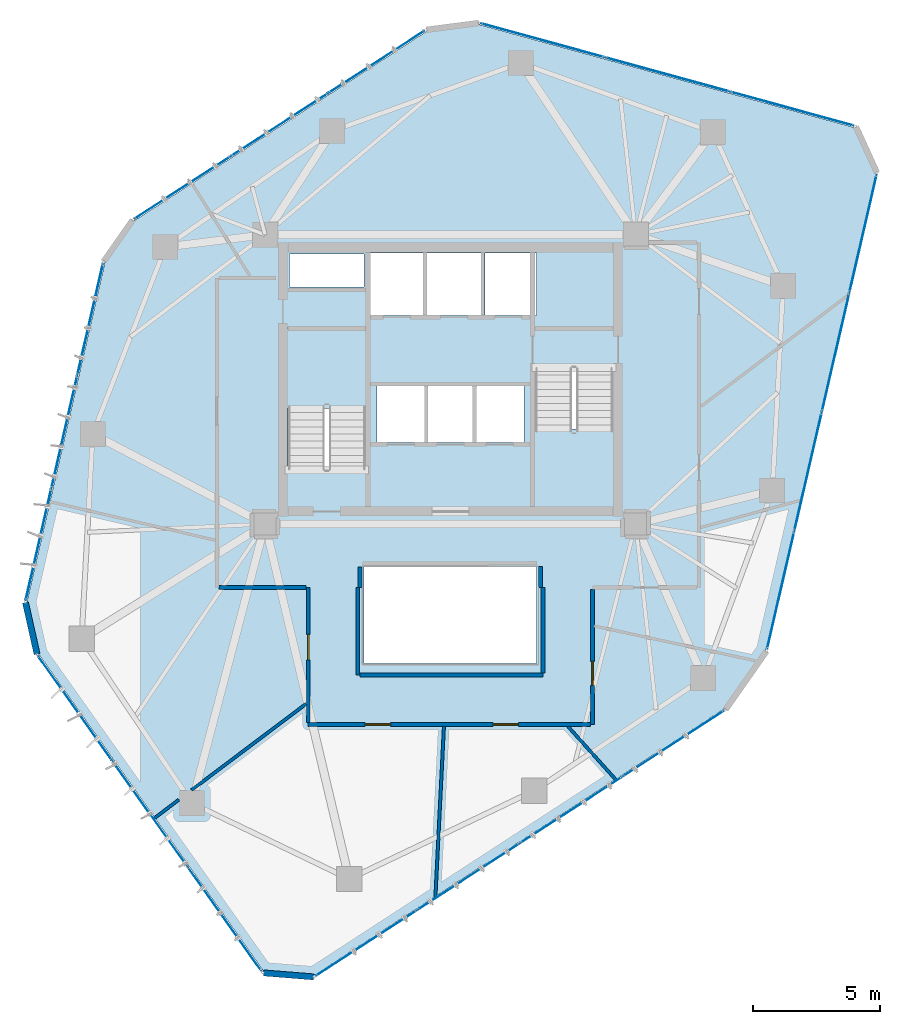
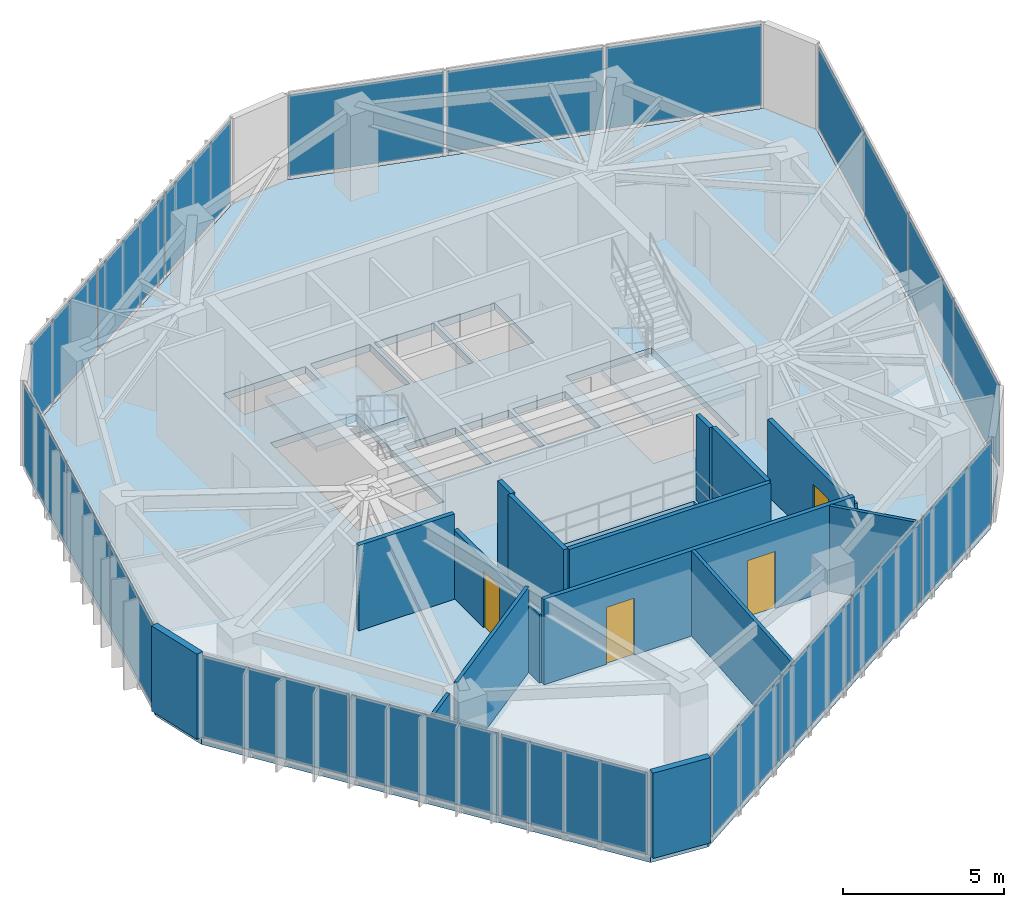
# One storey, part 14 of 18: 20 plates, 15 walls, 4 doors, 3 slabs, 4 openings, 8 elements without a shape of their own.
"""IFC4 building model written with IfcOpenShell, lengths in metres."""

import ifcopenshell
import ifcopenshell.guid

model = None  # the IFC model being written
_history = None  # IfcOwnerHistory: only IFC2X3 demands one
_inside = {}  # id of a spatial element -> (the spatial element, [elements in it])
_under = {}  # id of a project, library or spatial element -> (it, [spatial elements below it])
_declared = {}  # id of a project -> (the project, [libraries it declares])
_typed = {}  # id of a type object -> (the type object, [elements of that type])
_made_of = {}  # id of a material, layer set ... -> (it, [elements and type objects made of it])


def new_model(schema):
    """Start an empty IFC model of exactly this schema.

    Asked for "IFC4X3", IfcOpenShell would pick the latest addendum, in which some entities
    have other attributes; the version numbers below select the first issue.
    IFC2X3 requires an IfcOwnerHistory on every rooted entity: one is made here for all.
    """
    global model, _history
    if schema == "IFC4X3":
        model = ifcopenshell.file(schema_version=(4, 3, 0, 0))
    else:
        model = ifcopenshell.file(schema=schema)
    _inside.clear()
    _under.clear()
    _declared.clear()
    _typed.clear()
    _made_of.clear()
    _history = None
    if model.schema == "IFC2X3":
        org = make("IfcOrganization", Name="unknown")
        user = make(
            "IfcPersonAndOrganization",
            ThePerson=make("IfcPerson", FamilyName="unknown"),
            TheOrganization=org,
        )
        app = make(
            "IfcApplication",
            ApplicationDeveloper=org,
            Version="unknown",
            ApplicationFullName="unknown",
            ApplicationIdentifier="unknown",
        )
        _history = make(
            "IfcOwnerHistory",
            OwningUser=user,
            OwningApplication=app,
            ChangeAction="ADDED",
            CreationDate=0,
        )
    return model


def make(cls, **values):
    """One entity of the class cls with the attributes given. An attribute that is None is left unset."""
    return model.create_entity(
        cls, **{name: value for name, value in values.items() if value is not None}
    )


def rooted(cls, **values):
    """An entity with a GlobalId (a new one), such as an element, a storey or a relation."""
    return make(cls, GlobalId=ifcopenshell.guid.new(), OwnerHistory=_history, **values)


def si_unit(unit_type, name, prefix=None):
    """IfcSIUnit, for example si_unit("LENGTHUNIT", "METRE", prefix="MILLI")."""
    return make("IfcSIUnit", UnitType=unit_type, Prefix=prefix, Name=name)


def assignment(units):
    """IfcUnitAssignment: the units of a project."""
    return None if units is None else make("IfcUnitAssignment", Units=units)


def point(xyz):
    """IfcCartesianPoint."""
    return None if xyz is None else make("IfcCartesianPoint", Coordinates=xyz)


def direction(xyz):
    """IfcDirection."""
    return None if xyz is None else make("IfcDirection", DirectionRatios=xyz)


def frame(location, z_axis=None, x_axis=None):
    """IfcAxis2Placement3D, a coordinate frame: its origin and axes. An axis left out is left unset."""
    return make(
        "IfcAxis2Placement3D",
        Location=point(location),
        Axis=direction(z_axis),
        RefDirection=direction(x_axis),
    )


def frame_2d(location, x_axis=None):
    """IfcAxis2Placement2D, a coordinate frame in the plane: its origin and x axis."""
    return make(
        "IfcAxis2Placement2D", Location=point(location), RefDirection=direction(x_axis)
    )


def origin():
    """The frame at (0, 0, 0) with its axes left unset."""
    return frame((0.0, 0.0, 0.0))


def origin_2d():
    """The frame at (0, 0) in the plane with its x axis left unset."""
    return frame_2d((0.0, 0.0))


def place(relative_to, where):
    """IfcLocalPlacement: puts the frame where relative to a parent placement (None: the world)."""
    return make(
        "IfcLocalPlacement", PlacementRelTo=relative_to, RelativePlacement=where
    )


def context(
    kind, dimensions, precision=None, world=None, true_north=None, identifier=None
):
    """IfcGeometricRepresentationContext, for example the 3D "Model" context."""
    return make(
        "IfcGeometricRepresentationContext",
        ContextIdentifier=identifier,
        ContextType=kind,
        CoordinateSpaceDimension=dimensions,
        Precision=precision,
        WorldCoordinateSystem=world,
        TrueNorth=true_north,
    )


def subcontext(parent, identifier, kind, view, scale=None):
    """IfcGeometricRepresentationSubContext, for example "Body" below "Model"."""
    return make(
        "IfcGeometricRepresentationSubContext",
        ContextIdentifier=identifier,
        ContextType=kind,
        ParentContext=parent,
        TargetScale=scale,
        TargetView=view,
    )


def project(units=None, contexts=None):
    """IfcProject with its units and contexts."""
    return rooted(
        "IfcProject",
        Name="project",
        RepresentationContexts=contexts,
        UnitsInContext=assignment(units),
    )


def spatial(cls, under=None, at=None, **own):
    """A site, building, storey or space (cls), placed at a placement, below another one or the project."""
    s = rooted(cls, ObjectPlacement=at, **own)
    if under is not None:
        _under.setdefault(under.id(), (under, []))[1].append(s)
    return s


def polyline(points):
    """IfcPolyline through the points."""
    return make("IfcPolyline", Points=[point(p) for p in points])


def profile(cls, at=None, kind="AREA", **sizes):
    """A parametric profile (cls). Its sizes go by their IFC names, for example OverallWidth=200.0."""
    return make(cls, ProfileType=kind, Position=at, **sizes)


def rectangle(**sizes):
    """IfcRectangleProfileDef."""
    return profile("IfcRectangleProfileDef", **sizes)


def outline(outer, holes=None, kind="AREA"):
    """IfcArbitraryClosedProfileDef: a profile drawn as a closed curve; with holes, ...WithVoids."""
    if holes is None:
        return make("IfcArbitraryClosedProfileDef", ProfileType=kind, OuterCurve=outer)
    return make(
        "IfcArbitraryProfileDefWithVoids",
        ProfileType=kind,
        OuterCurve=outer,
        InnerCurves=holes,
    )


def extrude(swept, where, along, depth):
    """IfcExtrudedAreaSolid: the profile swept, set in the frame where, extruded along a direction by depth."""
    return make(
        "IfcExtrudedAreaSolid",
        SweptArea=swept,
        Position=where,
        ExtrudedDirection=direction(along),
        Depth=depth,
    )


def shape(context_of_items, identifier, shape_type, items):
    """IfcShapeRepresentation: the items that make up one representation, for example the "Body"."""
    return make(
        "IfcShapeRepresentation",
        ContextOfItems=context_of_items,
        RepresentationIdentifier=identifier,
        RepresentationType=shape_type,
        Items=items,
    )


def source(mapping_origin, context_of_items, identifier, shape_type, items):
    """IfcRepresentationMap: a shape defined once, which mapped items show again and again."""
    return make(
        "IfcRepresentationMap",
        MappingOrigin=mapping_origin,
        MappedRepresentation=shape(context_of_items, identifier, shape_type, items),
    )


def transform(
    local_origin,
    x_axis=None,
    y_axis=None,
    z_axis=None,
    scale=None,
    scale2=None,
    scale3=None,
    uniform=True,
):
    """IfcCartesianTransformationOperator3D, or its non-uniform kind. x_axis, y_axis, z_axis: its Axis1, 2, 3."""
    if uniform:
        return make(
            "IfcCartesianTransformationOperator3D",
            Axis1=direction(x_axis),
            Axis2=direction(y_axis),
            LocalOrigin=point(local_origin),
            Scale=scale,
            Axis3=direction(z_axis),
        )
    return make(
        "IfcCartesianTransformationOperator3DnonUniform",
        Axis1=direction(x_axis),
        Axis2=direction(y_axis),
        LocalOrigin=point(local_origin),
        Scale=scale,
        Axis3=direction(z_axis),
        Scale2=scale2,
        Scale3=scale3,
    )


def mapped(mapping_source, mapping_target):
    """IfcMappedItem: shows the shape of a source again, moved by a transform."""
    return make(
        "IfcMappedItem", MappingSource=mapping_source, MappingTarget=mapping_target
    )


def material(Name=None, Category=None):
    """IfcMaterial."""
    return make("IfcMaterial", Name=Name, Category=Category)


def layer(
    of_material, thickness, ventilated=None, Name=None, Category=None, Priority=None
):
    """IfcMaterialLayer: one layer of a wall or slab, of a material (None: an air gap)."""
    return make(
        "IfcMaterialLayer",
        Material=of_material,
        LayerThickness=thickness,
        IsVentilated=ventilated,
        Name=Name,
        Category=Category,
        Priority=Priority,
    )


def layer_set(layers, Name=None):
    """IfcMaterialLayerSet."""
    return make("IfcMaterialLayerSet", MaterialLayers=layers, LayerSetName=Name)


def made_of(thing, what):
    """Note that an element or type object is made of a material, layer set ...; save() writes the relation."""
    if what is not None:
        _made_of.setdefault(what.id(), (what, []))[1].append(thing)
    return thing


def type_object(cls, material=None, **own):
    """A type object (cls), such as IfcWallType, which elements share."""
    return made_of(rooted(cls, **own), material)


def type_shapes(of_type, sources):
    """Give a type object the sources (RepresentationMaps) that its elements show as mapped items."""
    of_type.RepresentationMaps = sources


def element(
    cls,
    number,
    at=None,
    inside=None,
    cuts=None,
    type_object=None,
    material=None,
    context=None,
    identifier="Body",
    shape_type=None,
    held_by="IfcProductDefinitionShape",
    body=None,
    shapes=None,
    **own,
):
    """One element of the class cls, such as IfcWall. Its Tag is "e" and its number.

    at: its placement. inside: the storey or other place that contains it. cuts: it is an
    opening in that element (IfcRelVoidsElement). A single representation is given by context,
    identifier, shape_type and body (its items); several are given by shapes. held_by: the class
    of the entity that holds the representations. save() writes the other relations.
    """
    e = rooted(cls, Tag="e%d" % number, ObjectPlacement=at, **own)
    if body is not None:
        shapes = [shape(context, identifier, shape_type, body)]
    if shapes is not None:
        e.Representation = make(held_by, Representations=shapes)
    if inside is not None:
        _inside.setdefault(inside.id(), (inside, []))[1].append(e)
    if cuts is not None:
        rooted(
            "IfcRelVoidsElement", RelatingBuildingElement=cuts, RelatedOpeningElement=e
        )
    if type_object is not None:
        _typed.setdefault(type_object.id(), (type_object, []))[1].append(e)
    return made_of(e, material)


def fill(opening, filler):
    """IfcRelFillsElement: the door or window that sits in an opening."""
    return rooted(
        "IfcRelFillsElement",
        RelatingOpeningElement=opening,
        RelatedBuildingElement=filler,
    )


def aggregate(whole, parts):
    """IfcRelAggregates: a whole, such as a stair, and the parts it consists of."""
    return rooted("IfcRelAggregates", RelatingObject=whole, RelatedObjects=parts)


def save(model, path):
    """Write the relations noted so far, then the file.

    IfcRelAggregates (storeys below a building ...), IfcRelContainedInSpatialStructure (elements
    in a storey), IfcRelDefinesByType, IfcRelAssociatesMaterial and IfcRelDeclares: one each for
    every whole, place, type object, material and project.
    """
    for whole, parts in _under.values():
        aggregate(whole, parts)
    for where, things in _inside.values():
        rooted(
            "IfcRelContainedInSpatialStructure",
            RelatedElements=things,
            RelatingStructure=where,
        )
    for kind, things in _typed.values():
        rooted("IfcRelDefinesByType", RelatedObjects=things, RelatingType=kind)
    for what, things in _made_of.values():
        rooted("IfcRelAssociatesMaterial", RelatedObjects=things, RelatingMaterial=what)
    for by, libraries in _declared.values():
        rooted("IfcRelDeclares", RelatingContext=by, RelatedDefinitions=libraries)
    model.write(path)


model = new_model("IFC4")

# Units and contexts
model_context = context("Model", 3, precision=1e-05, world=origin(), true_north=direction((0.0, 1.0)))
body_context = subcontext(model_context, "Body", "Model", "MODEL_VIEW")
ifc_project = project(units=[si_unit("LENGTHUNIT", "METRE"), si_unit("AREAUNIT", "SQUARE_METRE"), si_unit("VOLUMEUNIT", "CUBIC_METRE"), si_unit("PLANEANGLEUNIT", "RADIAN"), si_unit("MASSUNIT", "GRAM", prefix="KILO")], contexts=[model_context])

# Site, building, storey
site_placement = place(None, origin())
site = spatial("IfcSite", under=ifc_project, at=site_placement, CompositionType="ELEMENT")
building_placement = place(site_placement, origin())
building = spatial("IfcBuilding", under=site, at=building_placement, Name="Talar Marvaseh", CompositionType="ELEMENT")
storey_placement = place(building_placement, frame((0.0, 0.0, 188.0)))
storey = spatial("IfcBuildingStorey", under=building, at=storey_placement, Name="L49", CompositionType="ELEMENT", Elevation=188.0)

# Stair, slab
ifc_material_1 = material(Name="Concrete C40/50", Category="concrete")
stair_type = type_object("IfcStairType", Name="Reinforced Concrete High-Rise Exit Stair Type C", PredefinedType="HALF_TURN_STAIR", material=ifc_material_1)
stair_1_placement = place(storey_placement, origin())
stair_1 = element("IfcStair", 1, at=stair_1_placement, inside=storey, type_object=stair_type, Name="L49 Tower West Core Exit Stair", PredefinedType="HALF_TURN_STAIR")
ifc_layer_1 = layer(ifc_material_1, 0.199951171875)
ifc_layer_set_1 = layer_set([ifc_layer_1], Name="Concrete C40/50")
slab_type_1 = type_object("IfcSlabType", Name="Reinforced Concrete Stair Half-Landing Slab 200", PredefinedType="LANDING", material=ifc_layer_set_1)
slab_1_placement = place(storey_placement, frame((0.0, 0.0, 1.550048828125)))
slab_1 = element("IfcSlab", 2, at=slab_1_placement, type_object=slab_type_1, Name="ST-1 landing 1", PredefinedType="LANDING", context=body_context, shape_type="SweptSolid", body=[
    extrude(outline(polyline([(22.780029296875, 30.050048828125), (22.780029296875, 33.219970703125), (19.47998046875, 33.219970703125), (19.47998046875, 30.050048828125), (22.780029296875, 30.050048828125)])), origin(), (0.0, 0.0, 1.0), 0.199951171875),
])
aggregate(stair_1, [slab_1])

stair_2_placement = place(storey_placement, origin())
stair_2 = element("IfcStair", 3, at=stair_2_placement, inside=storey, type_object=stair_type, Name="L49 Tower East Core Exit Stair", PredefinedType="HALF_TURN_STAIR")
slab_2_placement = place(storey_placement, frame((0.0, 0.0, 1.550048828125)))
slab_2 = element("IfcSlab", 4, at=slab_2_placement, type_object=slab_type_1, Name="ST-2 landing 1", PredefinedType="LANDING", context=body_context, shape_type="SweptSolid", body=[
    extrude(outline(polyline([(29.219970703125, 29.25), (29.219970703125, 26.080078125), (32.52001953125, 26.080078125), (32.52001953125, 29.25), (29.219970703125, 29.25)])), origin(), (0.0, 0.0, 1.0), 0.199951171875),
])
aggregate(stair_2, [slab_2])

# Slab
ifc_layer_2 = layer(ifc_material_1, 0.27001953125)
ifc_layer_set_2 = layer_set([ifc_layer_2], Name="Concrete C40/50")
slab_type_2 = type_object("IfcSlabType", Name="Structural Suspended Floor Slab 270", PredefinedType="FLOOR", material=ifc_layer_set_2)
slab_3_placement = place(storey_placement, frame((0.0, 0.0, -0.27001953125)))
element("IfcSlab", 5, at=slab_3_placement, inside=storey, type_object=slab_type_2, Name="L49 Tower Floor Slab", PredefinedType="FLOOR", context=body_context, shape_type="SweptSolid", body=[
    extrude(outline(polyline([(20.617431640625, 7.71728515625), (18.64599609375, 7.875), (9.772216796875, 20.38671875), (9.3154296875, 22.4248046875), (12.388671875, 35.80810546875), (13.53759765625, 37.448974609375), (25.062744140625, 44.9140625), (27.134033203125, 45.18212890625), (41.92626953125, 41.122802734375), (42.748779296875, 39.32421875), (38.406982421875, 20.531005859375), (36.7919921875, 18.224853515625), (20.617431640625, 7.71728515625)]), holes=[polyline([(22.659912109375, 27.64990234375), (22.659912109375, 33.10009765625), (19.60009765625, 33.10009765625), (19.60009765625, 27.64990234375), (22.659912109375, 27.64990234375)]), polyline([(29.340087890625, 31.64990234375), (29.340087890625, 26.199951171875), (32.39990234375, 26.199951171875), (32.39990234375, 31.64990234375), (29.340087890625, 31.64990234375)]), polyline([(22.800048828125, 33.719970703125), (24.93994140625, 33.719970703125), (24.93994140625, 36.179931640625), (22.800048828125, 36.179931640625), (22.800048828125, 33.719970703125)]), polyline([(25.080078125, 33.719970703125), (27.219970703125, 33.719970703125), (27.219970703125, 36.179931640625), (25.080078125, 36.179931640625), (25.080078125, 33.719970703125)]), polyline([(27.360107421875, 33.719970703125), (29.39990234375, 33.719970703125), (29.39990234375, 36.179931640625), (27.360107421875, 36.179931640625), (27.360107421875, 33.719970703125)]), polyline([(23.10009765625, 28.719970703125), (24.97998046875, 28.719970703125), (24.97998046875, 30.93994140625), (23.10009765625, 30.93994140625), (23.10009765625, 28.719970703125)]), polyline([(25.1201171875, 28.719970703125), (26.8798828125, 28.719970703125), (26.8798828125, 30.93994140625), (25.1201171875, 30.93994140625), (25.1201171875, 28.719970703125)]), polyline([(27.02001953125, 28.719970703125), (28.89990234375, 28.719970703125), (28.89990234375, 30.93994140625), (27.02001953125, 30.93994140625), (27.02001953125, 28.719970703125)]), polyline([(19.659912109375, 34.840087890625), (22.60009765625, 34.840087890625), (22.60009765625, 36.139892578125), (19.659912109375, 36.139892578125), (19.659912109375, 34.840087890625)]), polyline([(22.60009765625, 20.0), (29.39990234375, 20.0), (29.39990234375, 23.800048828125), (22.60009765625, 23.800048828125), (22.60009765625, 20.0)])]), origin(), (0.0, 0.0, 1.0), 0.27001953125),
])

# Curtain wall, plates
ifc_material_2 = material(Name="Architectural Aluminium", Category="aluminium")
ifc_layer_3 = layer(ifc_material_2, 0.18994140625)
ifc_layer_set_3 = layer_set([ifc_layer_3], Name="Architectural Aluminium")
curtain_wall_type = type_object("IfcCurtainWallType", Name="Unitised Solar Atelier Curtain Wall Z3", PredefinedType="NOTDEFINED", material=ifc_layer_set_3)
curtain_wall_1_placement = place(storey_placement, origin())
curtain_wall_1 = element("IfcCurtainWall", 6, at=curtain_wall_1_placement, inside=storey, type_object=curtain_wall_type, Name="L49 Unitised Solar Atelier Curtain Wall Z3", PredefinedType="NOTDEFINED")
ifc_material_3 = material(Name="Laminated Low-E Solar Glass", Category="glass")
ifc_layer_4 = layer(ifc_material_3, 0.028076171875)
ifc_layer_set_4 = layer_set([ifc_layer_4], Name="Laminated Low-E Solar Glass")
plate_type = type_object("IfcPlateType", Name="Double-Glazed Low-E Vision Curtain Panel 28", PredefinedType="CURTAIN_PANEL", material=ifc_layer_set_4)
shared_shape_1 = source(origin(), body_context, "Body", "SweptSolid", [
    extrude(rectangle(XDim=5.00048828125, YDim=0.028076171875, at=origin_2d()), origin(), (0.0, 0.0, 1.0), 3.080078125),
])
plate_1_placement = place(storey_placement, frame((17.107177734375, 9.94091796875, 0.074951171875), z_axis=(0.0, 0.0, 1.0), x_axis=(-0.57851285445, 0.815673266226, 0.0)))
plate_1 = element("IfcPlate", 7, at=plate_1_placement, type_object=plate_type, Name="CW-Z3 panel 1.1", PredefinedType="CURTAIN_PANEL", context=body_context, shape_type="MappedRepresentation", body=[
    mapped(shared_shape_1, transform((0.0, 0.0, 0.0), x_axis=(1.0, 0.0, 0.0), y_axis=(0.0, 1.0, 0.0), z_axis=(0.0, 0.0, 1.0), scale=1.0)),
])
plate_2_placement = place(storey_placement, frame((11.213134765625, 18.251220703125, 0.074951171875), z_axis=(0.0, 0.0, 1.0), x_axis=(-0.57851285445, 0.815673266226, 0.0)))
plate_2 = element("IfcPlate", 8, at=plate_2_placement, type_object=plate_type, Name="CW-Z3 panel 3.1", PredefinedType="CURTAIN_PANEL", context=body_context, shape_type="MappedRepresentation", body=[
    mapped(shared_shape_1, transform((0.0, 0.0, 0.0), x_axis=(1.0, 0.0, 0.0), y_axis=(0.0, 1.0, 0.0), z_axis=(0.0, 0.0, 1.0), scale=1.0)),
])

curtain_wall_2_placement = place(storey_placement, origin())
curtain_wall_2 = element("IfcCurtainWall", 9, at=curtain_wall_2_placement, inside=storey, type_object=curtain_wall_type, Name="L49 Unitised Solar Atelier Curtain Wall Z3", PredefinedType="NOTDEFINED")
plate_3_placement = place(storey_placement, frame((29.633544921875, 44.55859375, 0.074951171875), z_axis=(0.0, 0.0, 1.0), x_axis=(0.964344060433, -0.264651720394, 0.0)))
plate_3 = element("IfcPlate", 10, at=plate_3_placement, type_object=plate_type, Name="CW-Z3 panel 1.1", PredefinedType="CURTAIN_PANEL", context=body_context, shape_type="MappedRepresentation", body=[
    mapped(shared_shape_1, transform((0.0, 0.0, 0.0), x_axis=(1.0, 0.0, 0.0), y_axis=(0.0, 1.0, 0.0), z_axis=(0.0, 0.0, 1.0), scale=1.0)),
])
plate_4_placement = place(storey_placement, frame((39.458740234375, 41.862060546875, 0.074951171875), z_axis=(0.0, 0.0, 1.0), x_axis=(0.964344060433, -0.264651720394, 0.0)))
plate_4 = element("IfcPlate", 11, at=plate_4_placement, type_object=plate_type, Name="CW-Z3 panel 3.1", PredefinedType="CURTAIN_PANEL", context=body_context, shape_type="MappedRepresentation", body=[
    mapped(shared_shape_1, transform((0.0, 0.0, 0.0), x_axis=(1.0, 0.0, 0.0), y_axis=(0.0, 1.0, 0.0), z_axis=(0.0, 0.0, 1.0), scale=1.0)),
])

# Plate
shared_shape_2 = source(origin(), body_context, "Body", "SweptSolid", [
    extrude(rectangle(XDim=5.0380859375, YDim=0.028076171875, at=origin_2d()), origin(), (0.0, 0.0, 1.0), 3.080078125),
])
plate_5_placement = place(storey_placement, frame((14.16015625, 14.09619140625, 0.074951171875), z_axis=(0.0, 0.0, 1.0), x_axis=(-0.57851285445, 0.815673266226, 0.0)))
plate_5 = element("IfcPlate", 12, at=plate_5_placement, type_object=plate_type, Name="CW-Z3 panel 2.1", PredefinedType="CURTAIN_PANEL", context=body_context, shape_type="MappedRepresentation", body=[
    mapped(shared_shape_2, transform((0.0, 0.0, 0.0), x_axis=(1.0, 0.0, 0.0), y_axis=(0.0, 1.0, 0.0), z_axis=(0.0, 0.0, 1.0), scale=1.0)),
])

aggregate(curtain_wall_1, [plate_1, plate_5, plate_2])

plate_6_placement = place(storey_placement, frame((34.546142578125, 43.21044921875, 0.074951171875), z_axis=(0.0, 0.0, 1.0), x_axis=(0.964344060433, -0.264651720394, 0.0)))
plate_6 = element("IfcPlate", 13, at=plate_6_placement, type_object=plate_type, Name="CW-Z3 panel 2.1", PredefinedType="CURTAIN_PANEL", context=body_context, shape_type="MappedRepresentation", body=[
    mapped(shared_shape_2, transform((0.0, 0.0, 0.0), x_axis=(1.0, 0.0, 0.0), y_axis=(0.0, 1.0, 0.0), z_axis=(0.0, 0.0, 1.0), scale=1.0)),
])

aggregate(curtain_wall_2, [plate_3, plate_6, plate_4])

# Curtain wall, plates
curtain_wall_3_placement = place(storey_placement, origin())
curtain_wall_3 = element("IfcCurtainWall", 14, at=curtain_wall_3_placement, inside=storey, type_object=curtain_wall_type, Name="L49 Unitised Solar Atelier Curtain Wall Z3", PredefinedType="NOTDEFINED")
shared_shape_3 = source(origin(), body_context, "Body", "SweptSolid", [
    extrude(rectangle(XDim=4.46484375, YDim=0.028076171875, at=origin_2d()), origin(), (0.0, 0.0, 1.0), 3.080078125),
])
plate_7_placement = place(storey_placement, frame((9.7734375, 24.68701171875, 0.074951171875), z_axis=(0.0, 0.0, 1.0), x_axis=(0.223796179806, 0.97463596789, 0.0)))
plate_7 = element("IfcPlate", 15, at=plate_7_placement, type_object=plate_type, Name="CW-Z3 panel 1.1", PredefinedType="CURTAIN_PANEL", context=body_context, shape_type="MappedRepresentation", body=[
    mapped(shared_shape_3, transform((0.0, 0.0, 0.0), x_axis=(1.0, 0.0, 0.0), y_axis=(0.0, 1.0, 0.0), z_axis=(0.0, 0.0, 1.0), scale=1.0)),
])
plate_8_placement = place(storey_placement, frame((11.813720703125, 33.57275390625, 0.074951171875), z_axis=(0.0, 0.0, 1.0), x_axis=(0.223796179806, 0.97463596789, 0.0)))
plate_8 = element("IfcPlate", 16, at=plate_8_placement, type_object=plate_type, Name="CW-Z3 panel 3.1", PredefinedType="CURTAIN_PANEL", context=body_context, shape_type="MappedRepresentation", body=[
    mapped(shared_shape_3, transform((0.0, 0.0, 0.0), x_axis=(1.0, 0.0, 0.0), y_axis=(0.0, 1.0, 0.0), z_axis=(0.0, 0.0, 1.0), scale=1.0)),
])
shared_shape_4 = source(origin(), body_context, "Body", "SweptSolid", [
    extrude(rectangle(XDim=4.502197265625, YDim=0.028076171875, at=origin_2d()), origin(), (0.0, 0.0, 1.0), 3.080078125),
])
plate_9_placement = place(storey_placement, frame((10.79345703125, 29.1298828125, 0.074951171875), z_axis=(0.0, 0.0, 1.0), x_axis=(0.223796179806, 0.97463596789, 0.0)))
plate_9 = element("IfcPlate", 17, at=plate_9_placement, type_object=plate_type, Name="CW-Z3 panel 2.1", PredefinedType="CURTAIN_PANEL", context=body_context, shape_type="MappedRepresentation", body=[
    mapped(shared_shape_4, transform((0.0, 0.0, 0.0), x_axis=(1.0, 0.0, 0.0), y_axis=(0.0, 1.0, 0.0), z_axis=(0.0, 0.0, 1.0), scale=1.0)),
])
aggregate(curtain_wall_3, [plate_7, plate_9, plate_8])

# Curtain wall, plate
curtain_wall_4_placement = place(storey_placement, origin())
curtain_wall_4 = element("IfcCurtainWall", 18, at=curtain_wall_4_placement, inside=storey, type_object=curtain_wall_type, Name="L49 Unitised Solar Atelier Curtain Wall Z3", PredefinedType="NOTDEFINED")
plate_10_placement = place(storey_placement, frame((19.267578125, 41.23193359375, 0.074951171875), z_axis=(0.0, 0.0, 1.0), x_axis=(0.839317045321, 0.543642251332, 0.0)))
plate_10 = element("IfcPlate", 19, at=plate_10_placement, type_object=plate_type, Name="CW-Z3 panel 2.1", PredefinedType="CURTAIN_PANEL", context=body_context, shape_type="MappedRepresentation", body=[
    mapped(shared_shape_4, transform((0.0, 0.0, 0.0), x_axis=(1.0, 0.0, 0.0), y_axis=(0.0, 1.0, 0.0), z_axis=(0.0, 0.0, 1.0), scale=1.0)),
])

# Curtain wall, plates
curtain_wall_5_placement = place(storey_placement, origin())
curtain_wall_5 = element("IfcCurtainWall", 20, at=curtain_wall_5_placement, inside=storey, type_object=curtain_wall_type, Name="L49 Unitised Solar Atelier Curtain Wall Z3", PredefinedType="NOTDEFINED")
shared_shape_5 = source(origin(), body_context, "Body", "SweptSolid", [
    extrude(rectangle(XDim=4.70947265625, YDim=0.028076171875, at=origin_2d()), origin(), (0.0, 0.0, 1.0), 3.080078125),
])
plate_11_placement = place(storey_placement, frame((42.26025390625, 36.943115234375, 0.074951171875), z_axis=(0.0, 0.0, 1.0), x_axis=(-0.225102211765, -0.974335154995, 0.0)))
plate_11 = element("IfcPlate", 21, at=plate_11_placement, type_object=plate_type, Name="CW-Z3 panel 1.1", PredefinedType="CURTAIN_PANEL", context=body_context, shape_type="MappedRepresentation", body=[
    mapped(shared_shape_5, transform((0.0, 0.0, 0.0), x_axis=(1.0, 0.0, 0.0), y_axis=(0.0, 1.0, 0.0), z_axis=(0.0, 0.0, 1.0), scale=1.0)),
])
plate_12_placement = place(storey_placement, frame((39.012451171875, 22.885009765625, 0.074951171875), z_axis=(0.0, 0.0, 1.0), x_axis=(-0.225102211765, -0.974335154995, 0.0)))
plate_12 = element("IfcPlate", 22, at=plate_12_placement, type_object=plate_type, Name="CW-Z3 panel 4.1", PredefinedType="CURTAIN_PANEL", context=body_context, shape_type="MappedRepresentation", body=[
    mapped(shared_shape_5, transform((0.0, 0.0, 0.0), x_axis=(1.0, 0.0, 0.0), y_axis=(0.0, 1.0, 0.0), z_axis=(0.0, 0.0, 1.0), scale=1.0)),
])

curtain_wall_6_placement = place(storey_placement, origin())
curtain_wall_6 = element("IfcCurtainWall", 23, at=curtain_wall_6_placement, inside=storey, type_object=curtain_wall_type, Name="L49 Unitised Solar Atelier Curtain Wall Z3", PredefinedType="NOTDEFINED")
plate_13_placement = place(storey_placement, frame((34.787353515625, 16.850830078125, 0.074951171875), z_axis=(0.0, 0.0, 1.0), x_axis=(-0.838584664332, -0.544771292146, 0.0)))
plate_13 = element("IfcPlate", 24, at=plate_13_placement, type_object=plate_type, Name="CW-Z3 panel 1.1", PredefinedType="CURTAIN_PANEL", context=body_context, shape_type="MappedRepresentation", body=[
    mapped(shared_shape_5, transform((0.0, 0.0, 0.0), x_axis=(1.0, 0.0, 0.0), y_axis=(0.0, 1.0, 0.0), z_axis=(0.0, 0.0, 1.0), scale=1.0)),
])
plate_14_placement = place(storey_placement, frame((22.687744140625, 8.99072265625, 0.074951171875), z_axis=(0.0, 0.0, 1.0), x_axis=(-0.838584664332, -0.544771292146, 0.0)))
plate_14 = element("IfcPlate", 25, at=plate_14_placement, type_object=plate_type, Name="CW-Z3 panel 4.1", PredefinedType="CURTAIN_PANEL", context=body_context, shape_type="MappedRepresentation", body=[
    mapped(shared_shape_5, transform((0.0, 0.0, 0.0), x_axis=(1.0, 0.0, 0.0), y_axis=(0.0, 1.0, 0.0), z_axis=(0.0, 0.0, 1.0), scale=1.0)),
])

# Plate
shared_shape_6 = source(origin(), body_context, "Body", "SweptSolid", [
    extrude(rectangle(XDim=4.7470703125, YDim=0.028076171875, at=origin_2d()), origin(), (0.0, 0.0, 1.0), 3.080078125),
])
plate_15_placement = place(storey_placement, frame((41.178955078125, 32.26318359375, 0.074951171875), z_axis=(0.0, 0.0, 1.0), x_axis=(-0.225102211765, -0.974335154995, 0.0)))
plate_15 = element("IfcPlate", 26, at=plate_15_placement, type_object=plate_type, Name="CW-Z3 panel 2.1", PredefinedType="CURTAIN_PANEL", context=body_context, shape_type="MappedRepresentation", body=[
    mapped(shared_shape_6, transform((0.0, 0.0, 0.0), x_axis=(1.0, 0.0, 0.0), y_axis=(0.0, 1.0, 0.0), z_axis=(0.0, 0.0, 1.0), scale=1.0)),
])

plate_16_placement = place(storey_placement, frame((40.093505859375, 27.56494140625, 0.074951171875), z_axis=(0.0, 0.0, 1.0), x_axis=(-0.225102211765, -0.974335154995, 0.0)))
plate_16 = element("IfcPlate", 27, at=plate_16_placement, type_object=plate_type, Name="CW-Z3 panel 3.1", PredefinedType="CURTAIN_PANEL", context=body_context, shape_type="MappedRepresentation", body=[
    mapped(shared_shape_6, transform((0.0, 0.0, 0.0), x_axis=(1.0, 0.0, 0.0), y_axis=(0.0, 1.0, 0.0), z_axis=(0.0, 0.0, 1.0), scale=1.0)),
])

aggregate(curtain_wall_5, [plate_11, plate_15, plate_16, plate_12])

plate_17_placement = place(storey_placement, frame((30.75927734375, 14.234130859375, 0.074951171875), z_axis=(0.0, 0.0, 1.0), x_axis=(-0.838584664332, -0.544771292146, 0.0)))
plate_17 = element("IfcPlate", 28, at=plate_17_placement, type_object=plate_type, Name="CW-Z3 panel 2.1", PredefinedType="CURTAIN_PANEL", context=body_context, shape_type="MappedRepresentation", body=[
    mapped(shared_shape_6, transform((0.0, 0.0, 0.0), x_axis=(1.0, 0.0, 0.0), y_axis=(0.0, 1.0, 0.0), z_axis=(0.0, 0.0, 1.0), scale=1.0)),
])

plate_18_placement = place(storey_placement, frame((26.715576171875, 11.607421875, 0.074951171875), z_axis=(0.0, 0.0, 1.0), x_axis=(-0.838584664332, -0.544771292146, 0.0)))
plate_18 = element("IfcPlate", 29, at=plate_18_placement, type_object=plate_type, Name="CW-Z3 panel 3.1", PredefinedType="CURTAIN_PANEL", context=body_context, shape_type="MappedRepresentation", body=[
    mapped(shared_shape_6, transform((0.0, 0.0, 0.0), x_axis=(1.0, 0.0, 0.0), y_axis=(0.0, 1.0, 0.0), z_axis=(0.0, 0.0, 1.0), scale=1.0)),
])

aggregate(curtain_wall_6, [plate_13, plate_17, plate_18, plate_14])

shared_shape_7 = source(origin(), body_context, "Body", "SweptSolid", [
    extrude(rectangle(XDim=4.464599609375, YDim=0.028076171875, at=origin_2d()), origin(), (0.0, 0.0, 1.0), 3.080078125),
])
type_shapes(plate_type, [shared_shape_1, shared_shape_2, shared_shape_3, shared_shape_4, shared_shape_5, shared_shape_6, shared_shape_7])
plate_19_placement = place(storey_placement, frame((15.441650390625, 38.753662109375, 0.074951171875), z_axis=(0.0, 0.0, 1.0), x_axis=(0.839317045321, 0.543642251332, 0.0)))
plate_19 = element("IfcPlate", 30, at=plate_19_placement, type_object=plate_type, Name="CW-Z3 panel 1.1", PredefinedType="CURTAIN_PANEL", context=body_context, shape_type="MappedRepresentation", body=[
    mapped(shared_shape_7, transform((0.0, 0.0, 0.0), x_axis=(1.0, 0.0, 0.0), y_axis=(0.0, 1.0, 0.0), z_axis=(0.0, 0.0, 1.0), scale=1.0)),
])

plate_20_placement = place(storey_placement, frame((23.093505859375, 43.710205078125, 0.074951171875), z_axis=(0.0, 0.0, 1.0), x_axis=(0.839317045321, 0.543642251332, 0.0)))
plate_20 = element("IfcPlate", 31, at=plate_20_placement, type_object=plate_type, Name="CW-Z3 panel 3.1", PredefinedType="CURTAIN_PANEL", context=body_context, shape_type="MappedRepresentation", body=[
    mapped(shared_shape_7, transform((0.0, 0.0, 0.0), x_axis=(1.0, 0.0, 0.0), y_axis=(0.0, 1.0, 0.0), z_axis=(0.0, 0.0, 1.0), scale=1.0)),
])

aggregate(curtain_wall_4, [plate_19, plate_10, plate_20])

# Walls
ifc_material_4 = material(Name="Precast concrete C45/55", Category="concrete")
ifc_layer_5 = layer(ifc_material_4, 0.239990234375)
ifc_layer_set_5 = layer_set([ifc_layer_5], Name="Precast concrete C45/55")
wall_type_1 = type_object("IfcWallType", Name="Chamfered Hexagonal Corner Pier Wall Z3 240", PredefinedType="SOLIDWALL", material=ifc_layer_set_5)
wall_1_placement = place(storey_placement, frame((20.612548828125, 7.657470703125, 0.0), z_axis=(0.0, 0.0, 1.0), x_axis=(-0.996815278536, 0.079745222283, 0.0)))
element("IfcWall", 32, at=wall_1_placement, inside=storey, type_object=wall_type_1, Name="L49 Chamfered Corner Limestone Pier 1", PredefinedType="SOLIDWALL", context=body_context, shape_type="SweptSolid", body=[
    extrude(rectangle(XDim=1.977783203125, YDim=0.239990234375, at=frame_2d((0.98876953125, 0.0))), origin(), (0.0, 0.0, 1.0), 3.22998046875),
])
wall_2_placement = place(storey_placement, frame((9.713623046875, 20.37353515625, 0.0), z_axis=(0.0, 0.0, 1.0), x_axis=(-0.218588640496, 0.975817096717, 0.0)))
element("IfcWall", 33, at=wall_2_placement, inside=storey, type_object=wall_type_1, Name="L49 Chamfered Corner Limestone Pier 2", PredefinedType="SOLIDWALL", context=body_context, shape_type="SweptSolid", body=[
    extrude(rectangle(XDim=2.088623046875, YDim=0.239990234375, at=frame_2d((1.04443359375, 0.0))), origin(), (0.0, 0.0, 1.0), 3.22998046875),
])

# Wall, opening, door
ifc_material_5 = material(Name="Gypsum Board Partition Assembly")
ifc_layer_6 = layer(ifc_material_5, 0.155029296875)
ifc_layer_set_6 = layer_set([ifc_layer_6], Name="Gypsum Board Partition Assembly")
wall_type_2 = type_object("IfcWallType", Name="Corridor Fire-Rated Acoustic Partition 155", PredefinedType="PARTITIONING", material=ifc_layer_set_6)
wall_3_placement = place(storey_placement, frame((31.60009765625, 22.91650390625, 0.0), z_axis=(0.0, 0.0, 1.0), x_axis=(0.0, -1.0, 0.0)))
wall_3 = element("IfcWall", 34, at=wall_3_placement, inside=storey, type_object=wall_type_2, Name="L49 Interior Partition Wall", PredefinedType="PARTITIONING", context=body_context, shape_type="SweptSolid", body=[
    extrude(rectangle(XDim=5.31640625, YDim=0.155029296875, at=frame_2d((2.658203125, 0.0))), origin(), (0.0, 0.0, 1.0), 2.89208984375),
])
opening_1_placement = place(wall_3_placement, frame((2.822509765625, 0.0, 0.0)))
opening_1 = element("IfcOpeningElement", 35, at=opening_1_placement, cuts=wall_3, Name="Opening DR-WC095", PredefinedType="OPENING", context=body_context, shape_type="SweptSolid", body=[
    extrude(rectangle(XDim=0.949951171875, YDim=2.14990234375, at=frame_2d((0.47509765625, 1.074951171875))), frame((0.0, 0.08740234375, 0.0), z_axis=(0.0, -1.0, 0.0), x_axis=(1.0, 0.0, 0.0)), (0.0, 0.0, 1.0), 0.175048828125),
])
ifc_material_6 = material(Name="Acoustic Engineered Oak Timber", Category="wood")
door_type_1 = type_object("IfcDoorType", Name="Washroom and Service Room Door 950x2150", OperationType="NOTDEFINED", PredefinedType="DOOR", material=ifc_material_6)
shared_shape_8 = source(origin(), body_context, "Body", "SweptSolid", [
    extrude(rectangle(XDim=0.949951171875, YDim=2.14990234375, at=frame_2d((0.47509765625, 1.074951171875))), frame((0.0, 0.02490234375, 0.0), z_axis=(0.0, -1.0, 0.0), x_axis=(1.0, 0.0, 0.0)), (0.0, 0.0, 1.0), 0.050048828125),
])
type_shapes(door_type_1, [shared_shape_8])
door_1_placement = place(opening_1_placement, origin())
door_1 = element("IfcDoor", 36, at=door_1_placement, inside=storey, type_object=door_type_1, Name="L49 WC Public Washrooms Door", OperationType="SINGLE_SWING_LEFT", OverallHeight=2.14990234375, OverallWidth=0.949951171875, PredefinedType="DOOR", context=body_context, shape_type="MappedRepresentation", body=[
    mapped(shared_shape_8, transform((0.0, 0.0, 0.0), x_axis=(1.0, 0.0, 0.0), y_axis=(0.0, 1.0, 0.0), z_axis=(0.0, 0.0, 1.0), scale=1.0)),
])
fill(opening_1, door_1)

# Wall, openings, doors
wall_4_placement = place(storey_placement, frame((31.5166015625, 17.60009765625, 0.0), z_axis=(0.0, 0.0, 1.0), x_axis=(-1.0, 0.0, 0.0)))
wall_4 = element("IfcWall", 37, at=wall_4_placement, inside=storey, type_object=wall_type_2, Name="L49 Interior Partition Wall", PredefinedType="PARTITIONING", context=body_context, shape_type="SweptSolid", body=[
    extrude(rectangle(XDim=11.11669921875, YDim=0.155029296875, at=frame_2d((5.558349609375, 0.0))), origin(), (0.0, 0.0, 1.0), 3.22998046875),
])
opening_2_placement = place(wall_4_placement, frame((7.873779296875, 0.0, 0.0)))
opening_2 = element("IfcOpeningElement", 38, at=opening_2_placement, cuts=wall_4, Name="Opening DR-RM100", PredefinedType="OPENING", context=body_context, shape_type="SweptSolid", body=[
    extrude(rectangle(XDim=1.0, YDim=2.14990234375, at=frame_2d((0.5, 1.074951171875))), frame((0.0, 0.08740234375, 0.0), z_axis=(0.0, -1.0, 0.0), x_axis=(1.0, 0.0, 0.0)), (0.0, 0.0, 1.0), 0.175048828125),
])
opening_3_placement = place(wall_4_placement, frame((2.8330078125, 0.0, 0.0)))
opening_3 = element("IfcOpeningElement", 39, at=opening_3_placement, cuts=wall_4, Name="Opening DR-RM100", PredefinedType="OPENING", context=body_context, shape_type="SweptSolid", body=[
    extrude(rectangle(XDim=1.0, YDim=2.14990234375, at=frame_2d((0.5, 1.074951171875))), frame((0.0, 0.08740234375, 0.0), z_axis=(0.0, -1.0, 0.0), x_axis=(1.0, 0.0, 0.0)), (0.0, 0.0, 1.0), 0.175048828125),
])
door_type_2 = type_object("IfcDoorType", Name="Corridor Fire-Rated Gallery Door 1000x2150", OperationType="NOTDEFINED", PredefinedType="DOOR", material=ifc_material_6)
shared_shape_9 = source(origin(), body_context, "Body", "SweptSolid", [
    extrude(rectangle(XDim=1.0, YDim=2.14990234375, at=frame_2d((0.5, 1.074951171875))), frame((0.0, 0.02490234375, 0.0), z_axis=(0.0, -1.0, 0.0), x_axis=(1.0, 0.0, 0.0)), (0.0, 0.0, 1.0), 0.050048828125),
])
type_shapes(door_type_2, [shared_shape_9])
door_2_placement = place(opening_2_placement, origin())
door_2 = element("IfcDoor", 40, at=door_2_placement, inside=storey, type_object=door_type_2, Name="L49 Curatorial Staff Control Room Door", OperationType="SINGLE_SWING_LEFT", OverallHeight=2.14990234375, OverallWidth=1.0, PredefinedType="DOOR", context=body_context, shape_type="MappedRepresentation", body=[
    mapped(shared_shape_9, transform((0.0, 0.0, 0.0), x_axis=(1.0, 0.0, 0.0), y_axis=(0.0, 1.0, 0.0), z_axis=(0.0, 0.0, 1.0), scale=1.0)),
])
fill(opening_2, door_2)
door_3_placement = place(opening_3_placement, origin())
door_3 = element("IfcDoor", 41, at=door_3_placement, inside=storey, type_object=door_type_2, Name="L49 Colloquium Boardroom Door", OperationType="SINGLE_SWING_RIGHT", OverallHeight=2.14990234375, OverallWidth=1.0, PredefinedType="DOOR", context=body_context, shape_type="MappedRepresentation", body=[
    mapped(shared_shape_9, transform((0.0, 0.0, 0.0), x_axis=(1.0, 0.0, 0.0), y_axis=(0.0, 1.0, 0.0), z_axis=(0.0, 0.0, 1.0), scale=1.0)),
])
fill(opening_3, door_3)

# Wall, opening, door
wall_5_placement = place(storey_placement, frame((20.39990234375, 17.68359375, 0.0), z_axis=(0.0, 0.0, 1.0), x_axis=(0.0, 1.0, 0.0)))
wall_5 = element("IfcWall", 42, at=wall_5_placement, inside=storey, type_object=wall_type_2, Name="L49 Interior Partition Wall", PredefinedType="PARTITIONING", context=body_context, shape_type="SweptSolid", body=[
    extrude(rectangle(XDim=5.31640625, YDim=0.155029296875, at=frame_2d((2.658203125, 0.0))), origin(), (0.0, 0.0, 1.0), 2.589111328125),
])
opening_4_placement = place(wall_5_placement, frame((2.468994140625, 0.0, 0.0)))
opening_4 = element("IfcOpeningElement", 43, at=opening_4_placement, cuts=wall_5, Name="Opening DR-RM100", PredefinedType="OPENING", context=body_context, shape_type="SweptSolid", body=[
    extrude(rectangle(XDim=1.0, YDim=2.14990234375, at=frame_2d((0.5, 1.074951171875))), frame((0.0, 0.08740234375, 0.0), z_axis=(0.0, -1.0, 0.0), x_axis=(1.0, 0.0, 0.0)), (0.0, 0.0, 1.0), 0.175048828125),
])
door_4_placement = place(opening_4_placement, origin())
door_4 = element("IfcDoor", 44, at=door_4_placement, inside=storey, type_object=door_type_2, Name="L49 Seminar Room Door", OperationType="SINGLE_SWING_RIGHT", OverallHeight=2.14990234375, OverallWidth=1.0, PredefinedType="DOOR", context=body_context, shape_type="MappedRepresentation", body=[
    mapped(shared_shape_9, transform((0.0, 0.0, 0.0), x_axis=(1.0, 0.0, 0.0), y_axis=(0.0, 1.0, 0.0), z_axis=(0.0, 0.0, 1.0), scale=1.0)),
])
fill(opening_4, door_4)

# Walls
wall_6_placement = place(storey_placement, frame((20.31640625, 23.0, 0.0), z_axis=(0.0, 0.0, 1.0), x_axis=(-1.0, 0.0, 0.0)))
element("IfcWall", 45, at=wall_6_placement, inside=storey, type_object=wall_type_2, Name="L49 Interior Partition Wall", PredefinedType="PARTITIONING", context=body_context, shape_type="SweptSolid", body=[
    extrude(rectangle(XDim=3.432861328125, YDim=0.155029296875, at=frame_2d((1.71630859375, 0.0))), origin(), (0.0, 0.0, 1.0), 3.22998046875),
])
wall_7_placement = place(storey_placement, frame((22.44091796875, 23.815673828125, 0.0), z_axis=(0.0, 0.0, 1.0), x_axis=(-0.001197245475, -0.999999283301, 0.0)))
element("IfcWall", 46, at=wall_7_placement, inside=storey, type_object=wall_type_2, Name="L49 Interior Partition Wall", PredefinedType="PARTITIONING", context=body_context, shape_type="SweptSolid", body=[
    extrude(rectangle(XDim=0.815673828125, YDim=0.155029296875, at=frame_2d((0.40771484375, 0.0))), origin(), (0.0, 0.0, 1.0), 3.22998046875),
])
wall_8_placement = place(storey_placement, frame((22.35009765625, 23.0, 0.0), z_axis=(0.0, 0.0, 1.0), x_axis=(0.0, -1.0, 0.0)))
element("IfcWall", 47, at=wall_8_placement, inside=storey, type_object=wall_type_2, Name="L49 Interior Partition Wall", PredefinedType="PARTITIONING", context=body_context, shape_type="SweptSolid", body=[
    extrude(rectangle(XDim=3.449951171875, YDim=0.155029296875, at=frame_2d((1.72509765625, 0.0))), origin(), (0.0, 0.0, 1.0), 3.22998046875),
])
wall_9_placement = place(storey_placement, frame((22.43359375, 19.550048828125, 0.0), z_axis=(0.0, 0.0, 1.0), x_axis=(1.0, 0.0, 0.0)))
element("IfcWall", 48, at=wall_9_placement, inside=storey, type_object=wall_type_2, Name="L49 Interior Partition Wall", PredefinedType="PARTITIONING", context=body_context, shape_type="SweptSolid", body=[
    extrude(rectangle(XDim=7.21630859375, YDim=0.155029296875, at=frame_2d((3.608154296875, 0.0))), origin(), (0.0, 0.0, 1.0), 3.22998046875),
])
wall_10_placement = place(storey_placement, frame((29.64990234375, 19.633544921875, 0.0), z_axis=(0.0, 0.0, 1.0), x_axis=(0.0, 1.0, 0.0)))
element("IfcWall", 49, at=wall_10_placement, inside=storey, type_object=wall_type_2, Name="L49 Interior Partition Wall", PredefinedType="PARTITIONING", context=body_context, shape_type="SweptSolid", body=[
    extrude(rectangle(XDim=3.366455078125, YDim=0.155029296875, at=frame_2d((1.68310546875, 0.0))), origin(), (0.0, 0.0, 1.0), 3.22998046875),
])
wall_11_placement = place(storey_placement, frame((29.56005859375, 23.0, 0.0), z_axis=(0.0, 0.0, 1.0), x_axis=(-0.003817887006, 0.999992711843, 0.0)))
element("IfcWall", 50, at=wall_11_placement, inside=storey, type_object=wall_type_2, Name="L49 Interior Partition Wall", PredefinedType="PARTITIONING", context=body_context, shape_type="SweptSolid", body=[
    extrude(rectangle(XDim=0.831298828125, YDim=0.155029296875, at=frame_2d((0.41552734375, 0.0))), origin(), (0.0, 0.0, 1.0), 3.22998046875),
])
ifc_layer_7 = layer(ifc_material_5, 0.1201171875)
ifc_layer_set_7 = layer_set([ifc_layer_7], Name="Gypsum Board Partition Assembly")
wall_type_3 = type_object("IfcWallType", Name="Demountable Studio Room Partition 120", PredefinedType="PARTITIONING", material=ifc_layer_set_7)
wall_12_placement = place(storey_placement, frame((20.31640625, 18.4169921875, 0.0), z_axis=(0.0, 0.0, 1.0), x_axis=(-0.799174970338, -0.601098466797, 0.0)))
element("IfcWall", 51, at=wall_12_placement, inside=storey, type_object=wall_type_3, Name="L49 Interior Partition Wall", PredefinedType="PARTITIONING", context=body_context, shape_type="SweptSolid", body=[
    extrude(rectangle(XDim=5.6513671875, YDim=0.1201171875, at=frame_2d((2.82568359375, 0.0))), origin(), (0.0, 0.0, 1.0), 3.22998046875),
])
wall_13_placement = place(storey_placement, frame((15.300048828125, 14.639892578125, 0.0), z_axis=(0.0, 0.0, 1.0), x_axis=(-0.79660155653, -0.604504723004, 0.0)))
element("IfcWall", 52, at=wall_13_placement, inside=storey, type_object=wall_type_3, Name="L49 Interior Partition Wall", PredefinedType="PARTITIONING", context=body_context, shape_type="SweptSolid", body=[
    extrude(rectangle(XDim=1.219970703125, YDim=0.1201171875, at=frame_2d((0.60986328125, 0.0))), origin(), (0.0, 0.0, 1.0), 3.22998046875),
])
wall_14_placement = place(storey_placement, frame((25.746826171875, 17.53515625, 0.0), z_axis=(0.0, 0.0, 1.0), x_axis=(-0.049941219017, -0.998752158768, 0.0)))
element("IfcWall", 53, at=wall_14_placement, inside=storey, type_object=wall_type_3, Name="L49 Interior Partition Wall", PredefinedType="PARTITIONING", context=body_context, shape_type="SweptSolid", body=[
    extrude(rectangle(XDim=6.760986328125, YDim=0.1201171875, at=frame_2d((3.38037109375, 0.0))), origin(), (0.0, 0.0, 1.0), 3.22998046875),
])
wall_15_placement = place(storey_placement, frame((30.64501953125, 17.5166015625, 0.0), z_axis=(0.0, 0.0, 1.0), x_axis=(0.66790851398, -0.744243385562, 0.0)))
element("IfcWall", 54, at=wall_15_placement, inside=storey, type_object=wall_type_3, Name="L49 Interior Partition Wall", PredefinedType="PARTITIONING", context=body_context, shape_type="SweptSolid", body=[
    extrude(rectangle(XDim=2.823974609375, YDim=0.1201171875, at=frame_2d((1.412109375, 0.0))), origin(), (0.0, 0.0, 1.0), 3.22998046875),
])

save(model, "model.ifc")
